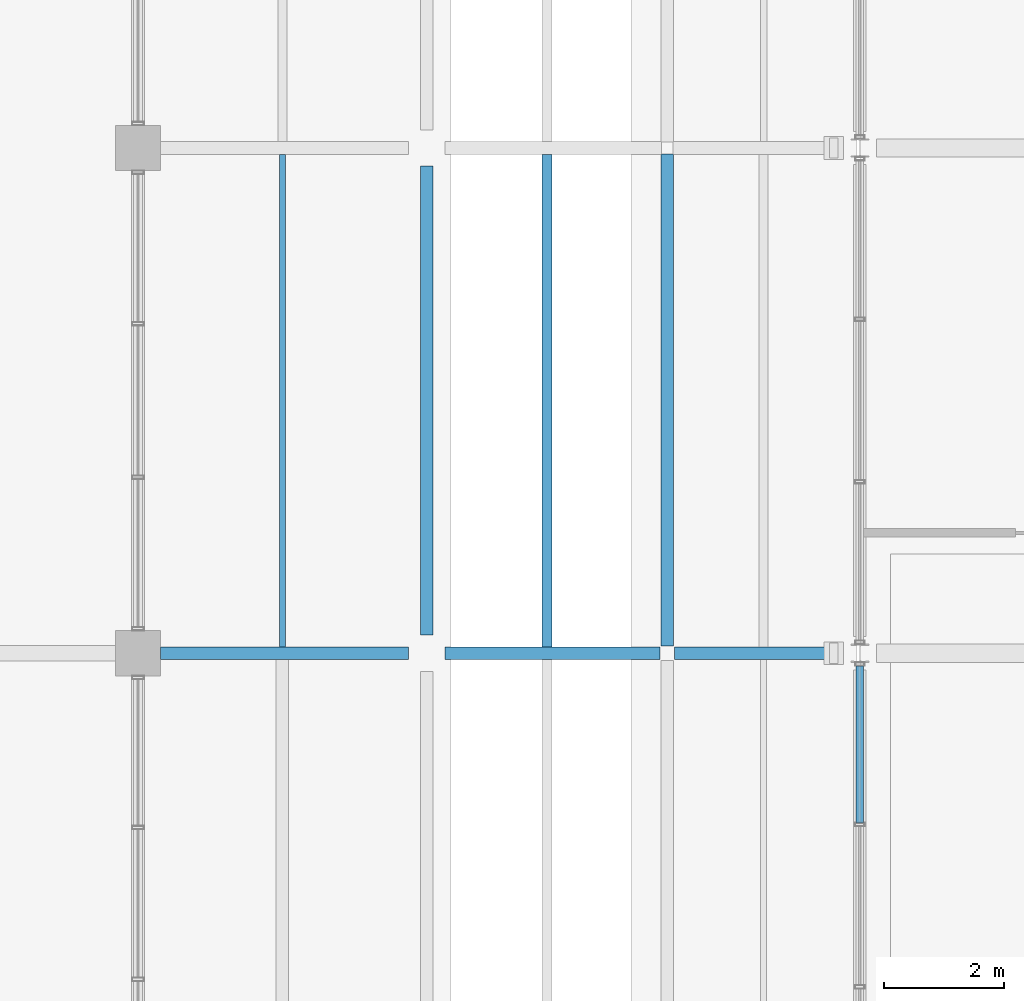
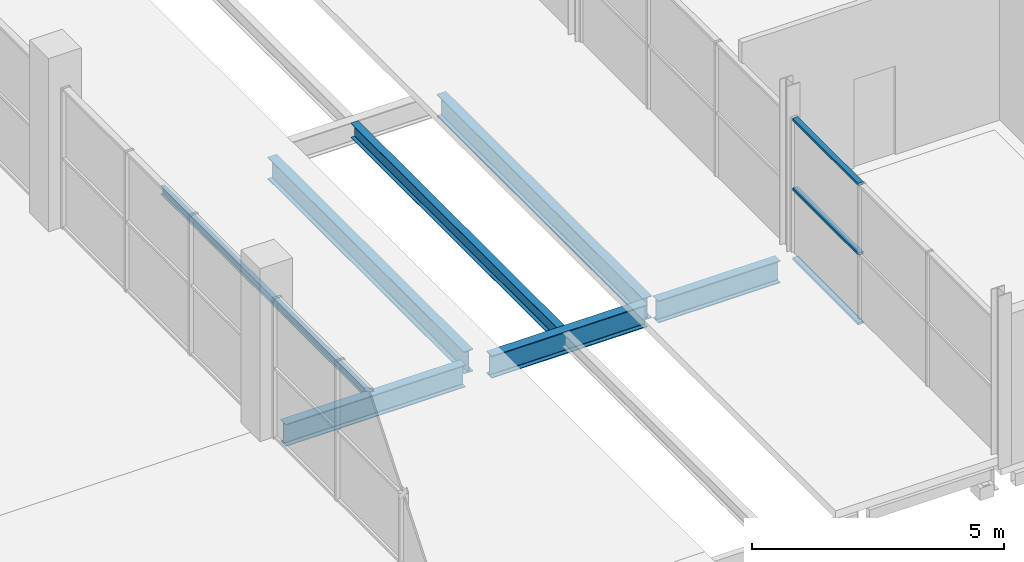
# One storey, part 94 of 161: 7 beams, 3 members, 1 element without a shape of its own.
"""IFC4 building model written with IfcOpenShell, lengths in metres."""

from ifc_helpers import new_model, si_unit, direction, frame, origin, origin_2d, place, context, subcontext, project, spatial, hollow_rectangle, i_section, extrude, material, material_profile, profile_set, type_object, element, aggregate, save


model = new_model("IFC4")

# Units and contexts
model_context = context("Model", 3, precision=1e-05, world=origin(), true_north=direction((0.0, 1.0)))
body_context = subcontext(model_context, "Body", "Model", "MODEL_VIEW")
ifc_project = project(units=[si_unit("LENGTHUNIT", "METRE"), si_unit("AREAUNIT", "SQUARE_METRE"), si_unit("VOLUMEUNIT", "CUBIC_METRE"), si_unit("PLANEANGLEUNIT", "RADIAN"), si_unit("MASSUNIT", "GRAM", prefix="KILO"), si_unit("THERMODYNAMICTEMPERATUREUNIT", "KELVIN")], contexts=[model_context])

# Site, building, storey
site_placement = place(None, origin())
site = spatial("IfcSite", under=ifc_project, at=site_placement, CompositionType="ELEMENT")
building_placement = place(site_placement, origin())
building = spatial("IfcBuilding", under=site, at=building_placement, Name="Nduvali Passage Aquatics Centre", CompositionType="ELEMENT")
storey_placement = place(building_placement, frame((0.0, 0.0, 4.800048828125)))
storey = spatial("IfcBuildingStorey", under=building, at=storey_placement, Name="L01", CompositionType="ELEMENT", Elevation=4.800048828125)

# Curtain wall, members
ifc_material_1 = material(Name="Aluminium EN AW-6063 T6", Category="aluminium")
curtain_wall_type = type_object("IfcCurtainWallType", Name="ENV-CW-FOYR", PredefinedType="NOTDEFINED", material=ifc_material_1)
curtain_wall_placement = place(storey_placement, origin())
curtain_wall = element("IfcCurtainWall", 1, at=curtain_wall_placement, inside=storey, type_object=curtain_wall_type, Name="L01 Passage Foyer End Upper CW 068", PredefinedType="NOTDEFINED")
ifc_material_profile_1 = material_profile(ifc_material_1, hollow_rectangle(XDim=0.1201171875, YDim=0.06005859375, WallThickness=0.00390625, at=origin_2d()), Name="ALU TRANSOM 120x60x4")
ifc_profile_set_1 = profile_set([ifc_material_profile_1], Name="Aluminium EN AW-6063 T6")
member_type = type_object("IfcMemberType", Name="ENV-MEM-TRN60", PredefinedType="USERDEFINED", material=ifc_profile_set_1)
member_1_placement = place(storey_placement, frame((138.0, 30.780029296875, 0.030029296875), z_axis=(0.0, 1.0, 0.0), x_axis=(-1.0, 0.0, 0.0)))
member_1 = element("IfcMember", 2, at=member_1_placement, type_object=member_type, Name="Passage Foyer End Upper CW Transom B3-R0", ObjectType="TRANSOM", PredefinedType="USERDEFINED", context=body_context, shape_type="SweptSolid", body=[
    extrude(hollow_rectangle(XDim=0.1201171875, YDim=0.06005859375, WallThickness=0.00390625, at=origin_2d()), origin(), (0.0, 0.0, 1.0), 2.60986328125),
])
member_2_placement = place(storey_placement, frame((138.0, 30.780029296875, 1.71826171875), z_axis=(0.0, 1.0, 0.0), x_axis=(-1.0, 0.0, 0.0)))
member_2 = element("IfcMember", 3, at=member_2_placement, type_object=member_type, Name="Passage Foyer End Upper CW Transom B3-R1", ObjectType="TRANSOM", PredefinedType="USERDEFINED", context=body_context, shape_type="SweptSolid", body=[
    extrude(hollow_rectangle(XDim=0.1201171875, YDim=0.06005859375, WallThickness=0.00390625, at=origin_2d()), origin(), (0.0, 0.0, 1.0), 2.60986328125),
])
member_3_placement = place(storey_placement, frame((138.0, 30.780029296875, 3.40625), z_axis=(0.0, 1.0, 0.0), x_axis=(-1.0, 0.0, 0.0)))
member_3 = element("IfcMember", 4, at=member_3_placement, type_object=member_type, Name="Passage Foyer End Upper CW Transom B3-R2", ObjectType="TRANSOM", PredefinedType="USERDEFINED", context=body_context, shape_type="SweptSolid", body=[
    extrude(hollow_rectangle(XDim=0.1201171875, YDim=0.06005859375, WallThickness=0.00390625, at=origin_2d()), origin(), (0.0, 0.0, 1.0), 2.60986328125),
])
aggregate(curtain_wall, [member_1, member_2, member_3])

# Beams
ifc_material_2 = material(Name="Steel S355", Category="steel")
ifc_material_profile_2 = material_profile(ifc_material_2, i_section(OverallWidth=0.210693359375, OverallDepth=0.53955078125, WebThickness=0.01171875, FlangeThickness=0.018798828125, FilletRadius=0.0126953125, at=origin_2d()), Name="UKB 533x210x109")
ifc_profile_set_2 = profile_set([ifc_material_profile_2], Name="Steel S355")
beam_type_1 = type_object("IfcBeamType", Name="STR-BM-UKB533", PredefinedType="BEAM", material=ifc_profile_set_2)
beam_1_placement = place(storey_placement, frame((126.375, 33.60009765625, -0.273681640625), z_axis=(1.0, 0.0, 0.0), x_axis=(0.0, 1.0, 0.0)))
element("IfcBeam", 5, at=beam_1_placement, inside=storey, type_object=beam_type_1, Name="L01 Primary X-Girder B6-0466", PredefinedType="BEAM", context=body_context, shape_type="SweptSolid", body=[
    extrude(i_section(OverallWidth=0.210693359375, OverallDepth=0.53955078125, WebThickness=0.01171875, FlangeThickness=0.018798828125, FilletRadius=0.0126953125, at=origin_2d()), origin(), (0.0, 0.0, 1.0), 4.125),
])
beam_2_placement = place(storey_placement, frame((131.10009765625, 33.60009765625, -0.273681640625), z_axis=(1.0, 0.0, 0.0), x_axis=(0.0, 1.0, 0.0)))
element("IfcBeam", 6, at=beam_2_placement, inside=storey, type_object=beam_type_1, Name="L01 Primary X-Girder B6-0467", PredefinedType="BEAM", context=body_context, shape_type="SweptSolid", body=[
    extrude(i_section(OverallWidth=0.210693359375, OverallDepth=0.53955078125, WebThickness=0.01171875, FlangeThickness=0.018798828125, FilletRadius=0.0126953125, at=origin_2d()), origin(), (0.0, 0.0, 1.0), 3.57763671875),
])
beam_3_placement = place(storey_placement, frame((134.922119140625, 33.60009765625, -0.273681640625), z_axis=(1.0, 0.0, 0.0), x_axis=(0.0, 1.0, 0.0)))
element("IfcBeam", 7, at=beam_3_placement, inside=storey, type_object=beam_type_1, Name="L01 Primary X-Girder B6-0468", PredefinedType="BEAM", context=body_context, shape_type="SweptSolid", body=[
    extrude(i_section(OverallWidth=0.210693359375, OverallDepth=0.53955078125, WebThickness=0.01171875, FlangeThickness=0.018798828125, FilletRadius=0.0126953125, at=origin_2d()), origin(), (0.0, 0.0, 1.0), 2.802978515625),
])
beam_4_placement = place(storey_placement, frame((130.800048828125, 33.89990234375, -0.273681640625), z_axis=(0.0, 1.0, 0.0), x_axis=(-1.0, 0.0, 0.0)))
element("IfcBeam", 8, at=beam_4_placement, inside=storey, type_object=beam_type_1, Name="L01 Primary Y-Girder B6-0640", PredefinedType="BEAM", context=body_context, shape_type="SweptSolid", body=[
    extrude(i_section(OverallWidth=0.210693359375, OverallDepth=0.53955078125, WebThickness=0.01171875, FlangeThickness=0.018798828125, FilletRadius=0.0126953125, at=origin_2d()), origin(), (0.0, 0.0, 1.0), 7.800048828125),
])
beam_5_placement = place(storey_placement, frame((134.800048828125, 33.72216796875, -0.273681640625), z_axis=(0.0, 1.0, 0.0), x_axis=(-1.0, 0.0, 0.0)))
element("IfcBeam", 9, at=beam_5_placement, inside=storey, type_object=beam_type_1, Name="L01 Primary Y-Girder B6-0651", PredefinedType="BEAM", context=body_context, shape_type="SweptSolid", body=[
    extrude(i_section(OverallWidth=0.210693359375, OverallDepth=0.53955078125, WebThickness=0.01171875, FlangeThickness=0.018798828125, FilletRadius=0.0126953125, at=origin_2d()), origin(), (0.0, 0.0, 1.0), 8.180908203125),
])
ifc_material_profile_3 = material_profile(ifc_material_2, i_section(OverallWidth=0.10009765625, OverallDepth=0.199951171875, WebThickness=0.005615234375, FlangeThickness=0.008544921875, FilletRadius=0.011962890625, at=origin_2d()), Name="IPE 200")
ifc_profile_set_3 = profile_set([ifc_material_profile_3], Name="Steel S355")
beam_type_2 = type_object("IfcBeamType", Name="STR-JST-IPE200", PredefinedType="JOIST", material=ifc_profile_set_3)
beam_6_placement = place(storey_placement, frame((128.39990234375, 33.705322265625, -0.10400390625), z_axis=(0.0, 1.0, 0.0), x_axis=(-1.0, 0.0, 0.0)))
element("IfcBeam", 10, at=beam_6_placement, inside=storey, type_object=beam_type_2, Name="L01 Secondary Joist J9A-0749", PredefinedType="JOIST", context=body_context, shape_type="SweptSolid", body=[
    extrude(i_section(OverallWidth=0.10009765625, OverallDepth=0.199951171875, WebThickness=0.005615234375, FlangeThickness=0.008544921875, FilletRadius=0.011962890625, at=origin_2d()), origin(), (0.0, 0.0, 1.0), 8.189208984375),
])
ifc_material_profile_4 = material_profile(ifc_material_2, i_section(OverallWidth=0.172119140625, OverallDepth=0.35791015625, WebThickness=0.008056640625, FlangeThickness=0.012939453125, FilletRadius=0.01025390625, at=origin_2d()), Name="UKB 356x171x57")
ifc_profile_set_4 = profile_set([ifc_material_profile_4], Name="Steel S355")
beam_type_3 = type_object("IfcBeamType", Name="STR-JST-UKB356", PredefinedType="JOIST", material=ifc_profile_set_4)
beam_7_placement = place(storey_placement, frame((132.800048828125, 33.705322265625, -0.18310546875), z_axis=(0.0, 1.0, 0.0), x_axis=(-1.0, 0.0, 0.0)))
element("IfcBeam", 11, at=beam_7_placement, inside=storey, type_object=beam_type_3, Name="L01 Secondary Joist J2-0750", PredefinedType="JOIST", context=body_context, shape_type="SweptSolid", body=[
    extrude(i_section(OverallWidth=0.172119140625, OverallDepth=0.35791015625, WebThickness=0.008056640625, FlangeThickness=0.012939453125, FilletRadius=0.01025390625, at=origin_2d()), origin(), (0.0, 0.0, 1.0), 8.189208984375),
])

save(model, "model.ifc")
